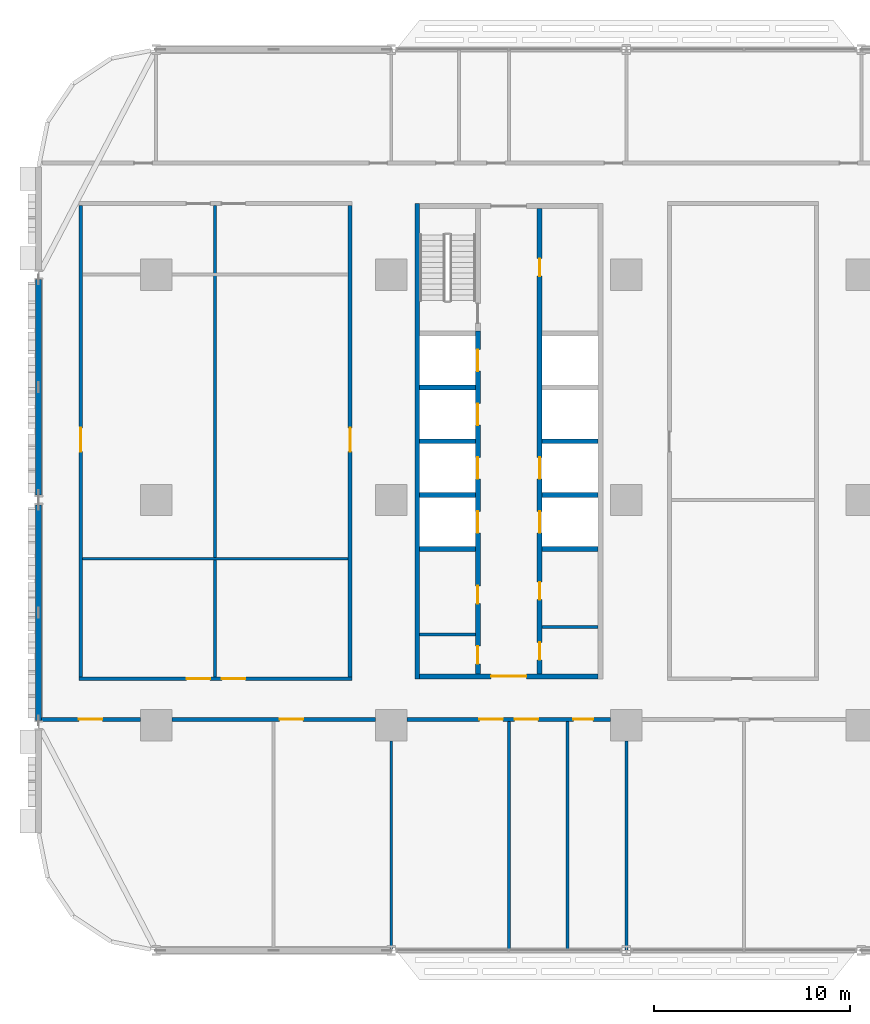
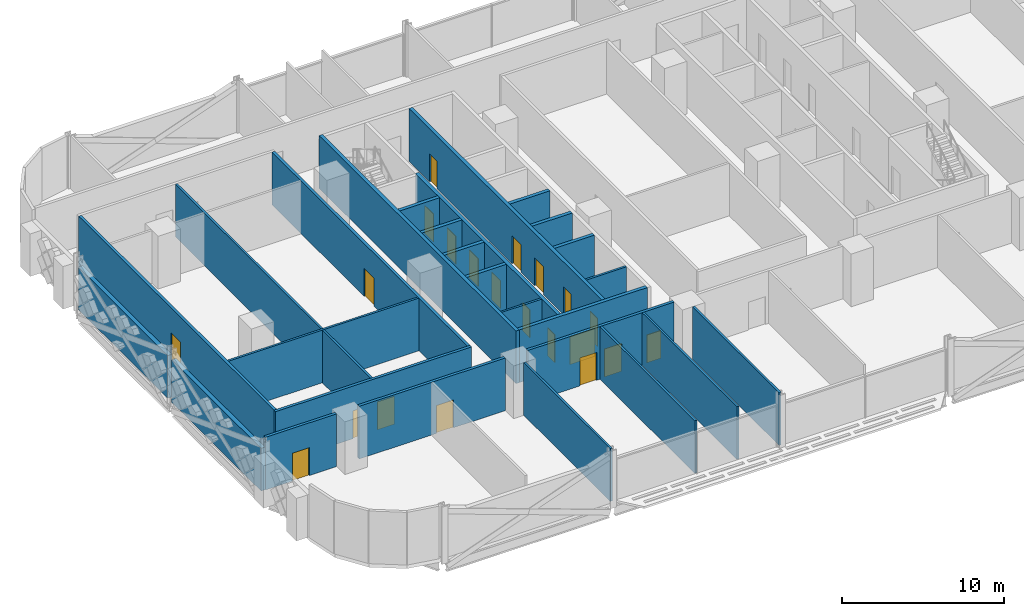
# One storey, part 10 of 29: 27 walls, 21 doors, 21 openings.
"""IFC4 building model written with IfcOpenShell, lengths in metres."""

from ifc_helpers import new_model, si_unit, direction, frame, frame_2d, origin, place, context, subcontext, project, spatial, rectangle, extrude, material, layer, layer_set, type_object, element, fill, save


model = new_model("IFC4")

# Units and contexts
model_context = context("Model", 3, precision=1e-05, world=origin(), true_north=direction((0.0, 1.0)))
body_context = subcontext(model_context, "Body", "Model", "MODEL_VIEW")
ifc_project = project(units=[si_unit("LENGTHUNIT", "METRE"), si_unit("AREAUNIT", "SQUARE_METRE"), si_unit("VOLUMEUNIT", "CUBIC_METRE"), si_unit("PLANEANGLEUNIT", "RADIAN"), si_unit("MASSUNIT", "GRAM", prefix="KILO")], contexts=[model_context])

# Site, building, storey
site_placement = place(None, origin())
site = spatial("IfcSite", under=ifc_project, at=site_placement, CompositionType="ELEMENT")
building_placement = place(site_placement, origin())
building = spatial("IfcBuilding", under=site, at=building_placement, Name="Mahtab Terrace Research Tower", CompositionType="ELEMENT")
storey_placement = place(building_placement, frame((0.0, 0.0, 20.10009765625)))
storey = spatial("IfcBuildingStorey", under=building, at=storey_placement, Name="L04", CompositionType="ELEMENT", Elevation=20.10009765625)

# Walls
ifc_material_1 = material(Name="Gypsum board partition")
ifc_layer_1 = layer(ifc_material_1, 0.14990234375)
ifc_layer_set_1 = layer_set([ifc_layer_1], Name="Core partition 150")
wall_type_1 = type_object("IfcWallType", Name="Core partition 150", PredefinedType="PARTITIONING", material=ifc_layer_set_1)
for number, where, z_axis, x_axis, name in (
    (1, (-28.550048828125, -6.875, 0.0), (0.0, 0.0, 1.0), (1.0, 0.0, 0.0), "Core wall A pWS-988"),
    (2, (-22.300048828125, -6.47509765625, 0.0), (0.0, 0.0, 1.0), (1.0, 0.0, 0.0), "Core wall A pES-948"),
):
    element("IfcWall", number, at=place(storey_placement, frame(where, z_axis=z_axis, x_axis=x_axis)), inside=storey, type_object=wall_type_1, Name=name, PredefinedType="PARTITIONING", context=body_context, shape_type="SweptSolid", body=[
        extrude(rectangle(XDim=2.85009765625, YDim=0.14990234375, at=frame_2d((1.425048828125, 0.0))), origin(), (0.0, 0.0, 1.0), 3.9599609375),
    ])
ifc_material_2 = material(Name="Concrete C70/85", Category="concrete")
ifc_layer_2 = layer(ifc_material_2, 0.25)
ifc_layer_set_2 = layer_set([ifc_layer_2], Name="Core wall 250")
wall_type_2 = type_object("IfcWallType", Name="Core wall 250", PredefinedType="SOLIDWALL", material=ifc_layer_set_2)
wall_1_placement = place(storey_placement, frame((-28.675048828125, 15.125, 0.0), z_axis=(0.0, 0.0, 1.0), x_axis=(0.0, -1.0, 0.0)))
element("IfcWall", 3, at=wall_1_placement, inside=storey, type_object=wall_type_2, Name="Core wall A outerW", PredefinedType="SOLIDWALL", context=body_context, shape_type="SweptSolid", body=[
    extrude(rectangle(XDim=24.25, YDim=0.25, at=frame_2d((12.125, 0.0))), origin(), (0.0, 0.0, 1.0), 3.9599609375),
])

# Wall, opening, door
wall_2_placement = place(storey_placement, frame((-19.449951171875, -9.0, 0.0), z_axis=(0.0, 0.0, 1.0), x_axis=(-1.0, 0.0, 0.0)))
wall_2 = element("IfcWall", 4, at=wall_2_placement, inside=storey, type_object=wall_type_2, Name="Core wall A endS", PredefinedType="SOLIDWALL", context=body_context, shape_type="SweptSolid", body=[
    extrude(rectangle(XDim=9.10009765625, YDim=0.25, at=frame_2d((4.550048828125, 0.0))), origin(), (0.0, 0.0, 1.0), 3.9599609375),
])
opening_1_placement = place(wall_2_placement, frame((3.64990234375, 0.0, 0.0)))
opening_1 = element("IfcOpeningElement", 5, at=opening_1_placement, cuts=wall_2, Name="Opening A-S1", PredefinedType="OPENING", context=body_context, shape_type="SweptSolid", body=[
    extrude(rectangle(XDim=1.800048828125, YDim=2.10009765625, at=frame_2d((0.89990234375, 1.050048828125))), frame((0.0, 0.135009765625, 0.0), z_axis=(0.0, -1.0, 0.0), x_axis=(1.0, 0.0, 0.0)), (0.0, 0.0, 1.0), 0.27001953125),
])
ifc_material_3 = material(Name="Steel fire door", Category="steel")
door_type_1 = type_object("IfcDoorType", Name="Lobby double door 1800x2100 1 HR", OperationType="DOUBLE_DOOR_SINGLE_SWING", PredefinedType="DOOR", material=ifc_material_3)
door_1_placement = place(opening_1_placement, origin())
door_1 = element("IfcDoor", 6, at=door_1_placement, inside=storey, type_object=door_type_1, Name="Core entrance door A S", OperationType="DOUBLE_DOOR_SINGLE_SWING", OverallHeight=2.10009765625, OverallWidth=1.800048828125, PredefinedType="DOOR", context=body_context, shape_type="SweptSolid", body=[
    extrude(rectangle(XDim=1.800048828125, YDim=2.10009765625, at=frame_2d((0.89990234375, 1.050048828125))), frame((0.0, 0.02490234375, 0.0), z_axis=(0.0, -1.0, 0.0), x_axis=(1.0, 0.0, 0.0)), (0.0, 0.0, 1.0), 0.050048828125),
])
fill(opening_1, door_1)

# Wall, openings, doors
wall_3_placement = place(storey_placement, frame((-25.574951171875, -8.875, 0.0), z_axis=(0.0, 0.0, 1.0), x_axis=(0.0, 1.0, 0.0)))
wall_3 = element("IfcWall", 7, at=wall_3_placement, inside=storey, type_object=wall_type_2, Name="Core wall A innerWSL", PredefinedType="SOLIDWALL", context=body_context, shape_type="SweptSolid", body=[
    extrude(rectangle(XDim=17.5, YDim=0.25, at=frame_2d((8.75, 0.0))), origin(), (0.0, 0.0, 1.0), 3.9599609375),
])
opening_2_placement = place(wall_3_placement, frame((7.199951171875, 0.0, 0.0)))
opening_2 = element("IfcOpeningElement", 8, at=opening_2_placement, cuts=wall_3, Name="Opening LD01-L04", PredefinedType="OPENING", context=body_context, shape_type="SweptSolid", body=[
    extrude(rectangle(XDim=1.10009765625, YDim=2.10009765625, at=frame_2d((0.550048828125, 1.050048828125))), frame((0.0, 0.135009765625, 0.0), z_axis=(0.0, -1.0, 0.0), x_axis=(1.0, 0.0, 0.0)), (0.0, 0.0, 1.0), 0.27001953125),
])
opening_3_placement = place(wall_3_placement, frame((9.949951171875, 0.0, 0.0)))
opening_3 = element("IfcOpeningElement", 9, at=opening_3_placement, cuts=wall_3, Name="Opening LD02-L04", PredefinedType="OPENING", context=body_context, shape_type="SweptSolid", body=[
    extrude(rectangle(XDim=1.10009765625, YDim=2.10009765625, at=frame_2d((0.550048828125, 1.050048828125))), frame((0.0, 0.135009765625, 0.0), z_axis=(0.0, -1.0, 0.0), x_axis=(1.0, 0.0, 0.0)), (0.0, 0.0, 1.0), 0.27001953125),
])
opening_4_placement = place(wall_3_placement, frame((12.699951171875, 0.0, 0.0)))
opening_4 = element("IfcOpeningElement", 10, at=opening_4_placement, cuts=wall_3, Name="Opening LD03-L04", PredefinedType="OPENING", context=body_context, shape_type="SweptSolid", body=[
    extrude(rectangle(XDim=1.10009765625, YDim=2.10009765625, at=frame_2d((0.550048828125, 1.050048828125))), frame((0.0, 0.135009765625, 0.0), z_axis=(0.0, -1.0, 0.0), x_axis=(1.0, 0.0, 0.0)), (0.0, 0.0, 1.0), 0.27001953125),
])
opening_5_placement = place(wall_3_placement, frame((15.449951171875, 0.0, 0.0)))
opening_5 = element("IfcOpeningElement", 11, at=opening_5_placement, cuts=wall_3, Name="Opening LD04-L04", PredefinedType="OPENING", context=body_context, shape_type="SweptSolid", body=[
    extrude(rectangle(XDim=1.10009765625, YDim=2.10009765625, at=frame_2d((0.550048828125, 1.050048828125))), frame((0.0, 0.135009765625, 0.0), z_axis=(0.0, -1.0, 0.0), x_axis=(1.0, 0.0, 0.0)), (0.0, 0.0, 1.0), 0.27001953125),
])
opening_6_placement = place(wall_3_placement, frame((0.512451171875, 0.0, 0.0)))
opening_6 = element("IfcOpeningElement", 12, at=opening_6_placement, cuts=wall_3, Name="Opening A-R1", PredefinedType="OPENING", context=body_context, shape_type="SweptSolid", body=[
    extrude(rectangle(XDim=0.89990234375, YDim=2.10009765625, at=frame_2d((0.449951171875, 1.050048828125))), frame((0.0, 0.135009765625, 0.0), z_axis=(0.0, -1.0, 0.0), x_axis=(1.0, 0.0, 0.0)), (0.0, 0.0, 1.0), 0.27001953125),
])
opening_7_placement = place(wall_3_placement, frame((3.58740234375, 0.0, 0.0)))
opening_7 = element("IfcOpeningElement", 13, at=opening_7_placement, cuts=wall_3, Name="Opening A-R2", PredefinedType="OPENING", context=body_context, shape_type="SweptSolid", body=[
    extrude(rectangle(XDim=0.89990234375, YDim=2.10009765625, at=frame_2d((0.449951171875, 1.050048828125))), frame((0.0, 0.135009765625, 0.0), z_axis=(0.0, -1.0, 0.0), x_axis=(1.0, 0.0, 0.0)), (0.0, 0.0, 1.0), 0.27001953125),
])
ifc_material_4 = material(Name="Stainless steel AISI 304", Category="steel")
door_type_2 = type_object("IfcDoorType", Name="Landing door 1100x2100", OperationType="DOUBLE_DOOR_SLIDING", PredefinedType="DOOR", material=ifc_material_4)
door_2_placement = place(opening_2_placement, origin())
door_2 = element("IfcDoor", 14, at=door_2_placement, inside=storey, type_object=door_type_2, Name="Landing door LR1 L04", OperationType="DOUBLE_DOOR_SLIDING", OverallHeight=2.10009765625, OverallWidth=1.10009765625, PredefinedType="DOOR", context=body_context, shape_type="SweptSolid", body=[
    extrude(rectangle(XDim=1.10009765625, YDim=2.10009765625, at=frame_2d((0.550048828125, 1.050048828125))), frame((0.0, 0.02490234375, 0.0), z_axis=(0.0, -1.0, 0.0), x_axis=(1.0, 0.0, 0.0)), (0.0, 0.0, 1.0), 0.050048828125),
])
fill(opening_2, door_2)
door_3_placement = place(opening_3_placement, origin())
door_3 = element("IfcDoor", 15, at=door_3_placement, inside=storey, type_object=door_type_2, Name="Landing door LR2 L04", OperationType="DOUBLE_DOOR_SLIDING", OverallHeight=2.10009765625, OverallWidth=1.10009765625, PredefinedType="DOOR", context=body_context, shape_type="SweptSolid", body=[
    extrude(rectangle(XDim=1.10009765625, YDim=2.10009765625, at=frame_2d((0.550048828125, 1.050048828125))), frame((0.0, 0.02490234375, 0.0), z_axis=(0.0, -1.0, 0.0), x_axis=(1.0, 0.0, 0.0)), (0.0, 0.0, 1.0), 0.050048828125),
])
fill(opening_3, door_3)
door_4_placement = place(opening_4_placement, origin())
door_4 = element("IfcDoor", 16, at=door_4_placement, inside=storey, type_object=door_type_2, Name="Landing door LR3 L04", OperationType="DOUBLE_DOOR_SLIDING", OverallHeight=2.10009765625, OverallWidth=1.10009765625, PredefinedType="DOOR", context=body_context, shape_type="SweptSolid", body=[
    extrude(rectangle(XDim=1.10009765625, YDim=2.10009765625, at=frame_2d((0.550048828125, 1.050048828125))), frame((0.0, 0.02490234375, 0.0), z_axis=(0.0, -1.0, 0.0), x_axis=(1.0, 0.0, 0.0)), (0.0, 0.0, 1.0), 0.050048828125),
])
fill(opening_4, door_4)
door_5_placement = place(opening_5_placement, origin())
door_5 = element("IfcDoor", 17, at=door_5_placement, inside=storey, type_object=door_type_2, Name="Landing door LR4 L04", OperationType="DOUBLE_DOOR_SLIDING", OverallHeight=2.10009765625, OverallWidth=1.10009765625, PredefinedType="DOOR", context=body_context, shape_type="SweptSolid", body=[
    extrude(rectangle(XDim=1.10009765625, YDim=2.10009765625, at=frame_2d((0.550048828125, 1.050048828125))), frame((0.0, 0.02490234375, 0.0), z_axis=(0.0, -1.0, 0.0), x_axis=(1.0, 0.0, 0.0)), (0.0, 0.0, 1.0), 0.050048828125),
])
fill(opening_5, door_5)
door_type_3 = type_object("IfcDoorType", Name="Room door 900x2100 1 HR", OperationType="NOTDEFINED", PredefinedType="DOOR", material=ifc_material_3)
door_6_placement = place(opening_6_placement, origin())
door_6 = element("IfcDoor", 18, at=door_6_placement, inside=storey, type_object=door_type_3, Name="Accessible WC door", OperationType="SINGLE_SWING_LEFT", OverallHeight=2.10009765625, OverallWidth=0.89990234375, PredefinedType="DOOR", context=body_context, shape_type="SweptSolid", body=[
    extrude(rectangle(XDim=0.89990234375, YDim=2.10009765625, at=frame_2d((0.449951171875, 1.050048828125))), frame((0.0, 0.02490234375, 0.0), z_axis=(0.0, -1.0, 0.0), x_axis=(1.0, 0.0, 0.0)), (0.0, 0.0, 1.0), 0.050048828125),
])
fill(opening_6, door_6)
door_7_placement = place(opening_7_placement, origin())
door_7 = element("IfcDoor", 19, at=door_7_placement, inside=storey, type_object=door_type_3, Name="WC block door", OperationType="SINGLE_SWING_RIGHT", OverallHeight=2.10009765625, OverallWidth=0.89990234375, PredefinedType="DOOR", context=body_context, shape_type="SweptSolid", body=[
    extrude(rectangle(XDim=0.89990234375, YDim=2.10009765625, at=frame_2d((0.449951171875, 1.050048828125))), frame((0.0, 0.02490234375, 0.0), z_axis=(0.0, -1.0, 0.0), x_axis=(1.0, 0.0, 0.0)), (0.0, 0.0, 1.0), 0.050048828125),
])
fill(opening_7, door_7)

wall_4_placement = place(storey_placement, frame((-22.425048828125, 14.875, 0.0), z_axis=(0.0, 0.0, 1.0), x_axis=(0.0, -1.0, 0.0)))
wall_4 = element("IfcWall", 20, at=wall_4_placement, inside=storey, type_object=wall_type_2, Name="Core wall A innerESLN", PredefinedType="SOLIDWALL", context=body_context, shape_type="SweptSolid", body=[
    extrude(rectangle(XDim=23.75, YDim=0.25, at=frame_2d((11.875, 0.0))), origin(), (0.0, 0.0, 1.0), 3.9599609375),
])
opening_8_placement = place(wall_4_placement, frame((15.449951171875, 0.0, 0.0)))
opening_8 = element("IfcOpeningElement", 21, at=opening_8_placement, cuts=wall_4, Name="Opening LD05-L04", PredefinedType="OPENING", context=body_context, shape_type="SweptSolid", body=[
    extrude(rectangle(XDim=1.10009765625, YDim=2.10009765625, at=frame_2d((0.550048828125, 1.050048828125))), frame((0.0, 0.135009765625, 0.0), z_axis=(0.0, -1.0, 0.0), x_axis=(1.0, 0.0, 0.0)), (0.0, 0.0, 1.0), 0.27001953125),
])
opening_9_placement = place(wall_4_placement, frame((12.699951171875, 0.0, 0.0)))
opening_9 = element("IfcOpeningElement", 22, at=opening_9_placement, cuts=wall_4, Name="Opening LD06-L04", PredefinedType="OPENING", context=body_context, shape_type="SweptSolid", body=[
    extrude(rectangle(XDim=1.10009765625, YDim=2.10009765625, at=frame_2d((0.550048828125, 1.050048828125))), frame((0.0, 0.135009765625, 0.0), z_axis=(0.0, -1.0, 0.0), x_axis=(1.0, 0.0, 0.0)), (0.0, 0.0, 1.0), 0.27001953125),
])
opening_10_placement = place(wall_4_placement, frame((22.137451171875, 0.0, 0.0)))
opening_10 = element("IfcOpeningElement", 23, at=opening_10_placement, cuts=wall_4, Name="Opening A-R3", PredefinedType="OPENING", context=body_context, shape_type="SweptSolid", body=[
    extrude(rectangle(XDim=0.89990234375, YDim=2.10009765625, at=frame_2d((0.449951171875, 1.050048828125))), frame((0.0, 0.135009765625, 0.0), z_axis=(0.0, -1.0, 0.0), x_axis=(1.0, 0.0, 0.0)), (0.0, 0.0, 1.0), 0.27001953125),
])
opening_11_placement = place(wall_4_placement, frame((19.0625, 0.0, 0.0)))
opening_11 = element("IfcOpeningElement", 24, at=opening_11_placement, cuts=wall_4, Name="Opening A-R4", PredefinedType="OPENING", context=body_context, shape_type="SweptSolid", body=[
    extrude(rectangle(XDim=0.89990234375, YDim=2.10009765625, at=frame_2d((0.449951171875, 1.050048828125))), frame((0.0, 0.135009765625, 0.0), z_axis=(0.0, -1.0, 0.0), x_axis=(1.0, 0.0, 0.0)), (0.0, 0.0, 1.0), 0.27001953125),
])
opening_12_placement = place(wall_4_placement, frame((2.550048828125, 0.0, 0.0)))
opening_12 = element("IfcOpeningElement", 25, at=opening_12_placement, cuts=wall_4, Name="Opening A-R5", PredefinedType="OPENING", context=body_context, shape_type="SweptSolid", body=[
    extrude(rectangle(XDim=0.89990234375, YDim=2.10009765625, at=frame_2d((0.449951171875, 1.050048828125))), frame((0.0, 0.135009765625, 0.0), z_axis=(0.0, -1.0, 0.0), x_axis=(1.0, 0.0, 0.0)), (0.0, 0.0, 1.0), 0.27001953125),
])
door_8_placement = place(opening_8_placement, origin())
door_8 = element("IfcDoor", 26, at=door_8_placement, inside=storey, type_object=door_type_2, Name="Landing door LR5 L04", OperationType="DOUBLE_DOOR_SLIDING", OverallHeight=2.10009765625, OverallWidth=1.10009765625, PredefinedType="DOOR", context=body_context, shape_type="SweptSolid", body=[
    extrude(rectangle(XDim=1.10009765625, YDim=2.10009765625, at=frame_2d((0.550048828125, 1.050048828125))), frame((0.0, 0.02490234375, 0.0), z_axis=(0.0, -1.0, 0.0), x_axis=(1.0, 0.0, 0.0)), (0.0, 0.0, 1.0), 0.050048828125),
])
fill(opening_8, door_8)
door_9_placement = place(opening_9_placement, origin())
door_9 = element("IfcDoor", 27, at=door_9_placement, inside=storey, type_object=door_type_2, Name="Landing door LR6 L04", OperationType="DOUBLE_DOOR_SLIDING", OverallHeight=2.10009765625, OverallWidth=1.10009765625, PredefinedType="DOOR", context=body_context, shape_type="SweptSolid", body=[
    extrude(rectangle(XDim=1.10009765625, YDim=2.10009765625, at=frame_2d((0.550048828125, 1.050048828125))), frame((0.0, 0.02490234375, 0.0), z_axis=(0.0, -1.0, 0.0), x_axis=(1.0, 0.0, 0.0)), (0.0, 0.0, 1.0), 0.050048828125),
])
fill(opening_9, door_9)
door_10_placement = place(opening_10_placement, origin())
door_10 = element("IfcDoor", 28, at=door_10_placement, inside=storey, type_object=door_type_3, Name="Mechanical riser room door", OperationType="SINGLE_SWING_LEFT", OverallHeight=2.10009765625, OverallWidth=0.89990234375, PredefinedType="DOOR", context=body_context, shape_type="SweptSolid", body=[
    extrude(rectangle(XDim=0.89990234375, YDim=2.10009765625, at=frame_2d((0.449951171875, 1.050048828125))), frame((0.0, 0.02490234375, 0.0), z_axis=(0.0, -1.0, 0.0), x_axis=(1.0, 0.0, 0.0)), (0.0, 0.0, 1.0), 0.050048828125),
])
fill(opening_10, door_10)
door_11_placement = place(opening_11_placement, origin())
door_11 = element("IfcDoor", 29, at=door_11_placement, inside=storey, type_object=door_type_3, Name="Chemical store door", OperationType="SINGLE_SWING_RIGHT", OverallHeight=2.10009765625, OverallWidth=0.89990234375, PredefinedType="DOOR", context=body_context, shape_type="SweptSolid", body=[
    extrude(rectangle(XDim=0.89990234375, YDim=2.10009765625, at=frame_2d((0.449951171875, 1.050048828125))), frame((0.0, 0.02490234375, 0.0), z_axis=(0.0, -1.0, 0.0), x_axis=(1.0, 0.0, 0.0)), (0.0, 0.0, 1.0), 0.050048828125),
])
fill(opening_11, door_11)
door_12_placement = place(opening_12_placement, origin())
door_12 = element("IfcDoor", 30, at=door_12_placement, inside=storey, type_object=door_type_3, Name="Gas cylinder store door", OperationType="SINGLE_SWING_LEFT", OverallHeight=2.10009765625, OverallWidth=0.89990234375, PredefinedType="DOOR", context=body_context, shape_type="SweptSolid", body=[
    extrude(rectangle(XDim=0.89990234375, YDim=2.10009765625, at=frame_2d((0.449951171875, 1.050048828125))), frame((0.0, 0.02490234375, 0.0), z_axis=(0.0, -1.0, 0.0), x_axis=(1.0, 0.0, 0.0)), (0.0, 0.0, 1.0), 0.050048828125),
])
fill(opening_12, door_12)

# Walls
for number, where, z_axis, x_axis, name in (
    (31, (-28.550048828125, -2.5, 0.0), (0.0, 0.0, 1.0), (1.0, 0.0, 0.0), "Core wall A divW0"),
    (32, (-28.550048828125, 0.25, 0.0), (0.0, 0.0, 1.0), (1.0, 0.0, 0.0), "Core wall A divW1"),
    (33, (-28.550048828125, 3.0, 0.0), (0.0, 0.0, 1.0), (1.0, 0.0, 0.0), "Core wall A divW2"),
    (34, (-28.550048828125, 5.75, 0.0), (0.0, 0.0, 1.0), (1.0, 0.0, 0.0), "Core wall A divW3"),
    (35, (-22.300048828125, -2.5, 0.0), (0.0, 0.0, 1.0), (1.0, 0.0, 0.0), "Core wall A divE0"),
    (36, (-22.300048828125, 0.25, 0.0), (0.0, 0.0, 1.0), (1.0, 0.0, 0.0), "Core wall A divE1"),
    (37, (-22.300048828125, 3.0, 0.0), (0.0, 0.0, 1.0), (1.0, 0.0, 0.0), "Core wall A divE2"),
):
    element("IfcWall", number, at=place(storey_placement, frame(where, z_axis=z_axis, x_axis=x_axis)), inside=storey, type_object=wall_type_2, Name=name, PredefinedType="SOLIDWALL", context=body_context, shape_type="SweptSolid", body=[
        extrude(rectangle(XDim=2.85009765625, YDim=0.25, at=frame_2d((1.425048828125, 0.0))), origin(), (0.0, 0.0, 1.0), 3.9599609375),
    ])
ifc_material_5 = material(Name="Black aluminium cladding panel", Category="aluminium")
ifc_layer_3 = layer(ifc_material_5, 0.300048828125)
ifc_layer_set_3 = layer_set([ifc_layer_3], Name="Opaque facade wall 300")
wall_type_3 = type_object("IfcWallType", Name="Opaque facade wall 300", PredefinedType="NOTDEFINED", material=ifc_layer_set_3)
for number, where, z_axis, x_axis, name in (
    (38, (-48.0, 11.2509765625, 0.0), (0.0, 0.0, 1.0), (0.0, -1.0, 0.0), "Opaque facade wall L04 W15"),
    (39, (-48.0, -0.2490234375, 0.0), (0.0, 0.0, 1.0), (0.0, -1.0, 0.0), "Opaque facade wall L04 W16"),
):
    element("IfcWall", number, at=place(storey_placement, frame(where, z_axis=z_axis, x_axis=x_axis)), inside=storey, type_object=wall_type_3, Name=name, PredefinedType="NOTDEFINED", context=body_context, shape_type="SweptSolid", body=[
        extrude(rectangle(XDim=11.001953125, YDim=0.300048828125, at=frame_2d((5.5009765625, 0.0))), origin(), (0.0, 0.0, 1.0), 3.202880859375),
    ])

# Wall, opening, door
ifc_material_6 = material(Name="Gypsum board corridor wall on steel studs", Category="steel")
ifc_layer_4 = layer(ifc_material_6, 0.199951171875)
ifc_layer_set_4 = layer_set([ifc_layer_4], Name="WALL CORRIDOR 200")
wall_type_4 = type_object("IfcWallType", Name="WALL CORRIDOR 200", PredefinedType="PARTITIONING", material=ifc_layer_set_4)
wall_5_placement = place(storey_placement, frame((-47.85009765625, -11.199951171875, 0.0), z_axis=(0.0, 0.0, 1.0), x_axis=(1.0, 0.0, 0.0)))
wall_5 = element("IfcWall", 40, at=wall_5_placement, inside=storey, type_object=wall_type_4, Name="L04-W001", PredefinedType="PARTITIONING", context=body_context, shape_type="SweptSolid", body=[
    extrude(rectangle(XDim=5.050048828125, YDim=0.199951171875, at=frame_2d((2.52490234375, 0.0))), origin(), (0.0, 0.0, 1.0), 3.9599609375),
])
opening_13_placement = place(wall_5_placement, frame((1.89990234375, 0.0, 0.0)))
opening_13 = element("IfcOpeningElement", 41, at=opening_13_placement, cuts=wall_5, Name="Opening L04-101", PredefinedType="OPENING", context=body_context, shape_type="SweptSolid", body=[
    extrude(rectangle(XDim=1.199951171875, YDim=2.10009765625, at=frame_2d((0.60009765625, 1.050048828125))), frame((0.0, 0.10986328125, 0.0), z_axis=(0.0, -1.0, 0.0), x_axis=(1.0, 0.0, 0.0)), (0.0, 0.0, 1.0), 0.219970703125),
])
ifc_material_7 = material(Name="Timber door leaf in steel frame", Category="steel")
door_type_4 = type_object("IfcDoorType", Name="DOOR 1200X2100 FD30S", OperationType="SINGLE_SWING_LEFT", PredefinedType="DOOR", material=ifc_material_7)
door_13_placement = place(opening_13_placement, origin())
door_13 = element("IfcDoor", 42, at=door_13_placement, inside=storey, type_object=door_type_4, Name="Door L04-101", OperationType="SINGLE_SWING_RIGHT", OverallHeight=2.10009765625, OverallWidth=1.199951171875, PredefinedType="DOOR", context=body_context, shape_type="SweptSolid", body=[
    extrude(rectangle(XDim=1.199951171875, YDim=2.10009765625, at=frame_2d((0.60009765625, 1.050048828125))), frame((0.0, 0.02490234375, 0.0), z_axis=(0.0, -1.0, 0.0), x_axis=(1.0, 0.0, 0.0)), (0.0, 0.0, 1.0), 0.050048828125),
])
fill(opening_13, door_13)

wall_6_placement = place(storey_placement, frame((-41.199951171875, -11.199951171875, 0.0), z_axis=(0.0, 0.0, 1.0), x_axis=(1.0, 0.0, 0.0)))
wall_6 = element("IfcWall", 43, at=wall_6_placement, inside=storey, type_object=wall_type_4, Name="L04-W002", PredefinedType="PARTITIONING", context=body_context, shape_type="SweptSolid", body=[
    extrude(rectangle(XDim=10.39990234375, YDim=0.199951171875, at=frame_2d((5.199951171875, 0.0))), origin(), (0.0, 0.0, 1.0), 3.9599609375),
])
opening_14_placement = place(wall_6_placement, frame((5.5, 0.0, 0.0)))
opening_14 = element("IfcOpeningElement", 44, at=opening_14_placement, cuts=wall_6, Name="Opening L04-102", PredefinedType="OPENING", context=body_context, shape_type="SweptSolid", body=[
    extrude(rectangle(XDim=1.199951171875, YDim=2.10009765625, at=frame_2d((0.60009765625, 1.050048828125))), frame((0.0, 0.10986328125, 0.0), z_axis=(0.0, -1.0, 0.0), x_axis=(1.0, 0.0, 0.0)), (0.0, 0.0, 1.0), 0.219970703125),
])
door_14_placement = place(opening_14_placement, origin())
door_14 = element("IfcDoor", 45, at=door_14_placement, inside=storey, type_object=door_type_4, Name="Door L04-102", OperationType="SINGLE_SWING_LEFT", OverallHeight=2.10009765625, OverallWidth=1.199951171875, PredefinedType="DOOR", context=body_context, shape_type="SweptSolid", body=[
    extrude(rectangle(XDim=1.199951171875, YDim=2.10009765625, at=frame_2d((0.60009765625, 1.050048828125))), frame((0.0, 0.02490234375, 0.0), z_axis=(0.0, -1.0, 0.0), x_axis=(1.0, 0.0, 0.0)), (0.0, 0.0, 1.0), 0.050048828125),
])
fill(opening_14, door_14)

# Wall, openings, doors
wall_7_placement = place(storey_placement, frame((-29.199951171875, -11.199951171875, 0.0), z_axis=(0.0, 0.0, 1.0), x_axis=(1.0, 0.0, 0.0)))
wall_7 = element("IfcWall", 46, at=wall_7_placement, inside=storey, type_object=wall_type_4, Name="L04-W003", PredefinedType="PARTITIONING", context=body_context, shape_type="SweptSolid", body=[
    extrude(rectangle(XDim=10.39990234375, YDim=0.199951171875, at=frame_2d((5.199951171875, 0.0))), origin(), (0.0, 0.0, 1.0), 3.9599609375),
])
opening_15_placement = place(wall_7_placement, frame((3.699951171875, 0.0, 0.0)))
opening_15 = element("IfcOpeningElement", 47, at=opening_15_placement, cuts=wall_7, Name="Opening L04-103", PredefinedType="OPENING", context=body_context, shape_type="SweptSolid", body=[
    extrude(rectangle(XDim=1.199951171875, YDim=2.10009765625, at=frame_2d((0.60009765625, 1.050048828125))), frame((0.0, 0.10986328125, 0.0), z_axis=(0.0, -1.0, 0.0), x_axis=(1.0, 0.0, 0.0)), (0.0, 0.0, 1.0), 0.219970703125),
])
opening_16_placement = place(wall_7_placement, frame((5.5, 0.0, 0.0)))
opening_16 = element("IfcOpeningElement", 48, at=opening_16_placement, cuts=wall_7, Name="Opening L04-104", PredefinedType="OPENING", context=body_context, shape_type="SweptSolid", body=[
    extrude(rectangle(XDim=1.199951171875, YDim=2.10009765625, at=frame_2d((0.60009765625, 1.050048828125))), frame((0.0, 0.10986328125, 0.0), z_axis=(0.0, -1.0, 0.0), x_axis=(1.0, 0.0, 0.0)), (0.0, 0.0, 1.0), 0.219970703125),
])
opening_17_placement = place(wall_7_placement, frame((8.5, 0.0, 0.0)))
opening_17 = element("IfcOpeningElement", 49, at=opening_17_placement, cuts=wall_7, Name="Opening L04-105", PredefinedType="OPENING", context=body_context, shape_type="SweptSolid", body=[
    extrude(rectangle(XDim=1.0, YDim=2.10009765625, at=frame_2d((0.5, 1.050048828125))), frame((0.0, 0.10986328125, 0.0), z_axis=(0.0, -1.0, 0.0), x_axis=(1.0, 0.0, 0.0)), (0.0, 0.0, 1.0), 0.219970703125),
])
door_type_5 = type_object("IfcDoorType", Name="DOOR 1000X2100 FD30S", OperationType="SINGLE_SWING_LEFT", PredefinedType="DOOR", material=ifc_material_7)
door_15_placement = place(opening_17_placement, origin())
door_15 = element("IfcDoor", 50, at=door_15_placement, inside=storey, type_object=door_type_5, Name="Door L04-105", OperationType="SINGLE_SWING_LEFT", OverallHeight=2.10009765625, OverallWidth=1.0, PredefinedType="DOOR", context=body_context, shape_type="SweptSolid", body=[
    extrude(rectangle(XDim=1.0, YDim=2.10009765625, at=frame_2d((0.5, 1.050048828125))), frame((0.0, 0.02490234375, 0.0), z_axis=(0.0, -1.0, 0.0), x_axis=(1.0, 0.0, 0.0)), (0.0, 0.0, 1.0), 0.050048828125),
])
fill(opening_17, door_15)
door_16_placement = place(opening_15_placement, origin())
door_16 = element("IfcDoor", 51, at=door_16_placement, inside=storey, type_object=door_type_4, Name="Door L04-103", OperationType="SINGLE_SWING_RIGHT", OverallHeight=2.10009765625, OverallWidth=1.199951171875, PredefinedType="DOOR", context=body_context, shape_type="SweptSolid", body=[
    extrude(rectangle(XDim=1.199951171875, YDim=2.10009765625, at=frame_2d((0.60009765625, 1.050048828125))), frame((0.0, 0.02490234375, 0.0), z_axis=(0.0, -1.0, 0.0), x_axis=(1.0, 0.0, 0.0)), (0.0, 0.0, 1.0), 0.050048828125),
])
fill(opening_15, door_16)
door_17_placement = place(opening_16_placement, origin())
door_17 = element("IfcDoor", 52, at=door_17_placement, inside=storey, type_object=door_type_4, Name="Door L04-104", OperationType="SINGLE_SWING_LEFT", OverallHeight=2.10009765625, OverallWidth=1.199951171875, PredefinedType="DOOR", context=body_context, shape_type="SweptSolid", body=[
    extrude(rectangle(XDim=1.199951171875, YDim=2.10009765625, at=frame_2d((0.60009765625, 1.050048828125))), frame((0.0, 0.02490234375, 0.0), z_axis=(0.0, -1.0, 0.0), x_axis=(1.0, 0.0, 0.0)), (0.0, 0.0, 1.0), 0.050048828125),
])
fill(opening_16, door_17)

wall_8_placement = place(storey_placement, frame((-45.949951171875, -9.125, 0.0), z_axis=(0.0, 0.0, 1.0), x_axis=(1.0, 0.0, 0.0)))
wall_8 = element("IfcWall", 53, at=wall_8_placement, inside=storey, type_object=wall_type_4, Name="L04-W010", PredefinedType="PARTITIONING", context=body_context, shape_type="SweptSolid", body=[
    extrude(rectangle(XDim=13.949951171875, YDim=0.199951171875, at=frame_2d((6.97509765625, 0.0))), origin(), (0.0, 0.0, 1.0), 3.9599609375),
])
opening_18_placement = place(wall_8_placement, frame((5.5, 0.0, 0.0)))
opening_18 = element("IfcOpeningElement", 54, at=opening_18_placement, cuts=wall_8, Name="Opening L04-116", PredefinedType="OPENING", context=body_context, shape_type="SweptSolid", body=[
    extrude(rectangle(XDim=1.199951171875, YDim=2.10009765625, at=frame_2d((0.60009765625, 1.050048828125))), frame((0.0, 0.10986328125, 0.0), z_axis=(0.0, -1.0, 0.0), x_axis=(1.0, 0.0, 0.0)), (0.0, 0.0, 1.0), 0.219970703125),
])
opening_19_placement = place(wall_8_placement, frame((7.300048828125, 0.0, 0.0)))
opening_19 = element("IfcOpeningElement", 55, at=opening_19_placement, cuts=wall_8, Name="Opening L04-117", PredefinedType="OPENING", context=body_context, shape_type="SweptSolid", body=[
    extrude(rectangle(XDim=1.199951171875, YDim=2.10009765625, at=frame_2d((0.60009765625, 1.050048828125))), frame((0.0, 0.10986328125, 0.0), z_axis=(0.0, -1.0, 0.0), x_axis=(1.0, 0.0, 0.0)), (0.0, 0.0, 1.0), 0.219970703125),
])
door_18_placement = place(opening_18_placement, origin())
door_18 = element("IfcDoor", 56, at=door_18_placement, inside=storey, type_object=door_type_4, Name="Door L04-116", OperationType="SINGLE_SWING_LEFT", OverallHeight=2.10009765625, OverallWidth=1.199951171875, PredefinedType="DOOR", context=body_context, shape_type="SweptSolid", body=[
    extrude(rectangle(XDim=1.199951171875, YDim=2.10009765625, at=frame_2d((0.60009765625, 1.050048828125))), frame((0.0, 0.02490234375, 0.0), z_axis=(0.0, -1.0, 0.0), x_axis=(1.0, 0.0, 0.0)), (0.0, 0.0, 1.0), 0.050048828125),
])
fill(opening_18, door_18)
door_19_placement = place(opening_19_placement, origin())
door_19 = element("IfcDoor", 57, at=door_19_placement, inside=storey, type_object=door_type_4, Name="Door L04-117", OperationType="SINGLE_SWING_RIGHT", OverallHeight=2.10009765625, OverallWidth=1.199951171875, PredefinedType="DOOR", context=body_context, shape_type="SweptSolid", body=[
    extrude(rectangle(XDim=1.199951171875, YDim=2.10009765625, at=frame_2d((0.60009765625, 1.050048828125))), frame((0.0, 0.02490234375, 0.0), z_axis=(0.0, -1.0, 0.0), x_axis=(1.0, 0.0, 0.0)), (0.0, 0.0, 1.0), 0.050048828125),
])
fill(opening_19, door_19)

# Wall, opening, door
wall_9_placement = place(storey_placement, frame((-45.85009765625, -9.02490234375, 0.0), z_axis=(0.0, 0.0, 1.0), x_axis=(0.0, 1.0, 0.0)))
wall_9 = element("IfcWall", 58, at=wall_9_placement, inside=storey, type_object=wall_type_4, Name="L04-W027", PredefinedType="PARTITIONING", context=body_context, shape_type="SweptSolid", body=[
    extrude(rectangle(XDim=24.0498046875, YDim=0.199951171875, at=frame_2d((12.02490234375, 0.0))), origin(), (0.0, 0.0, 1.0), 3.9599609375),
])
opening_20_placement = place(wall_9_placement, frame((11.5, 0.0, 0.0)))
opening_20 = element("IfcOpeningElement", 59, at=opening_20_placement, cuts=wall_9, Name="Opening L04-122", PredefinedType="OPENING", context=body_context, shape_type="SweptSolid", body=[
    extrude(rectangle(XDim=1.199951171875, YDim=2.10009765625, at=frame_2d((0.60009765625, 1.050048828125))), frame((0.0, 0.10986328125, 0.0), z_axis=(0.0, -1.0, 0.0), x_axis=(1.0, 0.0, 0.0)), (0.0, 0.0, 1.0), 0.219970703125),
])
door_20_placement = place(opening_20_placement, origin())
door_20 = element("IfcDoor", 60, at=door_20_placement, inside=storey, type_object=door_type_4, Name="Door L04-122", OperationType="SINGLE_SWING_LEFT", OverallHeight=2.10009765625, OverallWidth=1.199951171875, PredefinedType="DOOR", context=body_context, shape_type="SweptSolid", body=[
    extrude(rectangle(XDim=1.199951171875, YDim=2.10009765625, at=frame_2d((0.60009765625, 1.050048828125))), frame((0.0, 0.02490234375, 0.0), z_axis=(0.0, -1.0, 0.0), x_axis=(1.0, 0.0, 0.0)), (0.0, 0.0, 1.0), 0.050048828125),
])
fill(opening_20, door_20)

wall_10_placement = place(storey_placement, frame((-32.10009765625, -9.02490234375, 0.0), z_axis=(0.0, 0.0, 1.0), x_axis=(0.0, 1.0, 0.0)))
wall_10 = element("IfcWall", 61, at=wall_10_placement, inside=storey, type_object=wall_type_4, Name="L04-W031", PredefinedType="PARTITIONING", context=body_context, shape_type="SweptSolid", body=[
    extrude(rectangle(XDim=24.0498046875, YDim=0.199951171875, at=frame_2d((12.02490234375, 0.0))), origin(), (0.0, 0.0, 1.0), 3.9599609375),
])
opening_21_placement = place(wall_10_placement, frame((11.5, 0.0, 0.0)))
opening_21 = element("IfcOpeningElement", 62, at=opening_21_placement, cuts=wall_10, Name="Opening L04-123", PredefinedType="OPENING", context=body_context, shape_type="SweptSolid", body=[
    extrude(rectangle(XDim=1.199951171875, YDim=2.10009765625, at=frame_2d((0.60009765625, 1.050048828125))), frame((0.0, 0.10986328125, 0.0), z_axis=(0.0, -1.0, 0.0), x_axis=(1.0, 0.0, 0.0)), (0.0, 0.0, 1.0), 0.219970703125),
])
door_21_placement = place(opening_21_placement, origin())
door_21 = element("IfcDoor", 63, at=door_21_placement, inside=storey, type_object=door_type_4, Name="Door L04-123", OperationType="SINGLE_SWING_RIGHT", OverallHeight=2.10009765625, OverallWidth=1.199951171875, PredefinedType="DOOR", context=body_context, shape_type="SweptSolid", body=[
    extrude(rectangle(XDim=1.199951171875, YDim=2.10009765625, at=frame_2d((0.60009765625, 1.050048828125))), frame((0.0, 0.02490234375, 0.0), z_axis=(0.0, -1.0, 0.0), x_axis=(1.0, 0.0, 0.0)), (0.0, 0.0, 1.0), 0.050048828125),
])
fill(opening_21, door_21)

# Walls
ifc_material_8 = material(Name="Gypsum board partition on steel studs", Category="steel")
ifc_layer_5 = layer(ifc_material_8, 0.14990234375)
ifc_layer_set_5 = layer_set([ifc_layer_5], Name="WALL PARTITION 150")
wall_type_5 = type_object("IfcWallType", Name="WALL PARTITION 150", PredefinedType="PARTITIONING", material=ifc_layer_set_5)
wall_11_placement = place(storey_placement, frame((-45.75, -3.0, 0.0), z_axis=(0.0, 0.0, 1.0), x_axis=(1.0, 0.0, 0.0)))
element("IfcWall", 64, at=wall_11_placement, inside=storey, type_object=wall_type_5, Name="L04-W014", PredefinedType="PARTITIONING", context=body_context, shape_type="SweptSolid", body=[
    extrude(rectangle(XDim=13.550048828125, YDim=0.14990234375, at=frame_2d((6.77490234375, 0.0))), origin(), (0.0, 0.0, 1.0), 3.9599609375),
])
wall_12_placement = place(storey_placement, frame((-39.0, -9.02490234375, 0.0), z_axis=(0.0, 0.0, 1.0), x_axis=(0.0, 1.0, 0.0)))
element("IfcWall", 65, at=wall_12_placement, inside=storey, type_object=wall_type_5, Name="L04-W029", PredefinedType="PARTITIONING", context=body_context, shape_type="SweptSolid", body=[
    extrude(rectangle(XDim=24.0498046875, YDim=0.14990234375, at=frame_2d((12.02490234375, 0.0))), origin(), (0.0, 0.0, 1.0), 3.9599609375),
])
wall_13_placement = place(storey_placement, frame((-30.0, -22.97509765625, 0.0), z_axis=(0.0, 0.0, 1.0), x_axis=(0.0, 1.0, 0.0)))
element("IfcWall", 66, at=wall_13_placement, inside=storey, type_object=wall_type_5, Name="L04-W032", PredefinedType="PARTITIONING", context=body_context, shape_type="SweptSolid", body=[
    extrude(rectangle(XDim=10.675048828125, YDim=0.14990234375, at=frame_2d((5.33740234375, 0.0))), origin(), (0.0, 0.0, 1.0), 3.9599609375),
])
for number, where, z_axis, x_axis, name in (
    (67, (-24.0, -22.97509765625, 0.0), (0.0, 0.0, 1.0), (0.0, 1.0, 0.0), "L04-W035"),
    (68, (-21.0, -22.97509765625, 0.0), (0.0, 0.0, 1.0), (0.0, 1.0, 0.0), "L04-W037"),
):
    element("IfcWall", number, at=place(storey_placement, frame(where, z_axis=z_axis, x_axis=x_axis)), inside=storey, type_object=wall_type_5, Name=name, PredefinedType="PARTITIONING", context=body_context, shape_type="SweptSolid", body=[
        extrude(rectangle(XDim=11.675048828125, YDim=0.14990234375, at=frame_2d((5.83740234375, 0.0))), origin(), (0.0, 0.0, 1.0), 3.9599609375),
    ])
wall_14_placement = place(storey_placement, frame((-18.0, -22.97509765625, 0.0), z_axis=(0.0, 0.0, 1.0), x_axis=(0.0, 1.0, 0.0)))
element("IfcWall", 69, at=wall_14_placement, inside=storey, type_object=wall_type_5, Name="L04-W038", PredefinedType="PARTITIONING", context=body_context, shape_type="SweptSolid", body=[
    extrude(rectangle(XDim=10.675048828125, YDim=0.14990234375, at=frame_2d((5.33740234375, 0.0))), origin(), (0.0, 0.0, 1.0), 3.9599609375),
])

save(model, "model.ifc")
